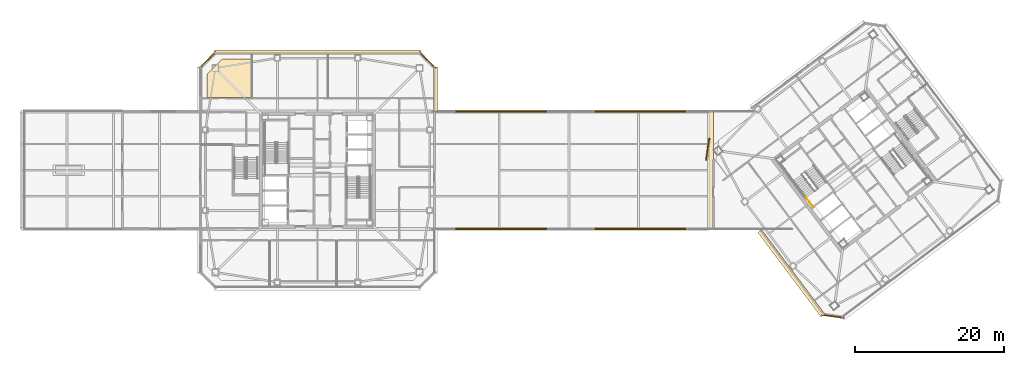
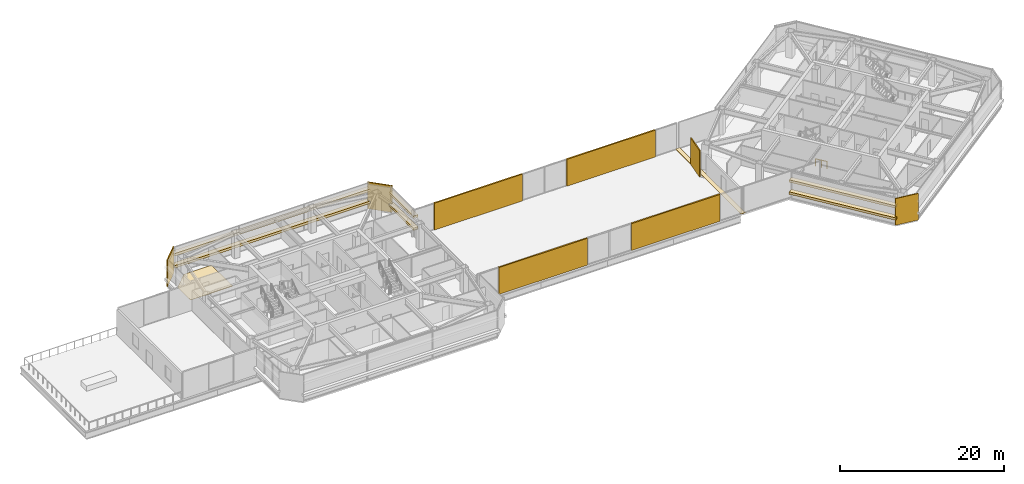
# One storey, part 47 of 51: 16 coverings, 1 railing.
"""IFC4 building model written with IfcOpenShell, lengths in metres."""

from ifc_helpers import new_model, si_unit, direction, frame, origin, origin_2d, place, context, subcontext, project, spatial, polyline, rectangle, outline, extrude, material, layer, layer_set, type_object, element, save


model = new_model("IFC4")

# Units and contexts
model_context = context("Model", 3, precision=1e-05, world=origin(), true_north=direction((0.0, 1.0)))
body_context = subcontext(model_context, "Body", "Model", "MODEL_VIEW")
ifc_project = project(units=[si_unit("LENGTHUNIT", "METRE"), si_unit("AREAUNIT", "SQUARE_METRE"), si_unit("VOLUMEUNIT", "CUBIC_METRE"), si_unit("PLANEANGLEUNIT", "RADIAN"), si_unit("MASSUNIT", "GRAM", prefix="KILO")], contexts=[model_context])

# Site, building, storey
site_placement = place(None, origin())
site = spatial("IfcSite", under=ifc_project, at=site_placement, CompositionType="ELEMENT")
building_placement = place(site_placement, origin())
building = spatial("IfcBuilding", under=site, at=building_placement, Name="Tashvorn Skyway Center", CompositionType="ELEMENT")
storey_placement = place(building_placement, frame((0.0, 0.0, 251.39990234375)))
storey = spatial("IfcBuildingStorey", under=building, at=storey_placement, Name="L68", CompositionType="ELEMENT", Elevation=251.39990234375)

# Coverings
ifc_material_1 = material(Name="Precast concrete C40/50", Category="concrete")
ifc_layer_1 = layer(ifc_material_1, 0.199951171875)
ifc_layer_set_1 = layer_set([ifc_layer_1], Name="Precast concrete C40/50")
covering_type_1 = type_object("IfcCoveringType", Name="COV-BRACE-CLAD", PredefinedType="CLADDING", material=ifc_layer_set_1)
for number, where, z_axis, x_axis, name in (
    (1, (85.35498046875, 24.10009765625, 0.0), (0.0, 0.0, 1.0), (-1.0, 0.0, 0.0), "Sky-Park L68 Bridge South Curtain Wall Mega-Brace Cladding Band 1"),
    (2, (66.6650390625, 24.10009765625, 0.0), (0.0, 0.0, 1.0), (-1.0, 0.0, 0.0), "Sky-Park L68 Bridge South Curtain Wall Mega-Brace Cladding Band 2"),
    (3, (66.6650390625, 39.89990234375, 0.0), (0.0, 0.0, 1.0), (1.0, 0.0, 0.0), "Sky-Park L68 Bridge North Curtain Wall Mega-Brace Cladding Band 1"),
    (4, (85.35498046875, 39.89990234375, 0.0), (0.0, 0.0, 1.0), (1.0, 0.0, 0.0), "Sky-Park L68 Bridge North Curtain Wall Mega-Brace Cladding Band 2"),
):
    element("IfcCovering", number, at=place(storey_placement, frame(where, z_axis=z_axis, x_axis=x_axis)), inside=storey, type_object=covering_type_1, Name=name, PredefinedType="CLADDING", context=body_context, shape_type="SweptSolid", body=[
        extrude(rectangle(XDim=12.4599609375, YDim=0.199951171875, at=origin_2d()), origin(), (0.0, 0.0, 1.0), 4.0),
    ])
ifc_material_2 = material(Name="Polished Mojave desert-aggregate terrazzo and cover plate")
ifc_layer_2 = layer(ifc_material_2, 0.0400390625)
ifc_layer_set_2 = layer_set([ifc_layer_2], Name="Polished Mojave desert-aggregate terrazzo and cover plate")
covering_type_2 = type_object("IfcCoveringType", Name="COV-FLR-40", PredefinedType="FLOORING", material=ifc_layer_set_2)
covering_1_placement = place(storey_placement, origin())
element("IfcCovering", 5, at=covering_1_placement, inside=storey, type_object=covering_type_2, Name="Tower 1 L68 Executive Suite Finish Flooring", PredefinedType="FLOORING", context=body_context, shape_type="SweptSolid", body=[
    extrude(outline(polyline([(33.1201171875, 41.75), (27.179931640625, 41.75), (27.179931640625, 44.8798828125), (29.199951171875, 46.89990234375), (33.1201171875, 46.89990234375), (33.1201171875, 41.75)])), origin(), (0.0, 0.0, 1.0), 0.0400390625),
])
covering_2_placement = place(storey_placement, origin())
element("IfcCovering", 6, at=covering_2_placement, inside=storey, type_object=covering_type_2, Name="Sky-Park L68 Seismic Movement Joint Terrazzo Cover Plate", PredefinedType="FLOORING", context=body_context, shape_type="SweptSolid", body=[
    extrude(outline(polyline([(94.550048828125, 24.0), (95.14990234375, 24.0), (95.14990234375, 40.0), (94.550048828125, 40.0), (94.550048828125, 24.0)])), origin(), (0.0, 0.0, 1.0), 0.0400390625),
])
ifc_material_3 = material(Name="Perforated ceramic-coated bronze aluminium solar screen", Category="aluminium")
ifc_layer_3 = layer(ifc_material_3, 0.85009765625)
ifc_layer_set_3 = layer_set([ifc_layer_3], Name="Perforated ceramic-coated bronze aluminium solar screen")
covering_type_3 = type_object("IfcCoveringType", Name="COV-SOLAR-BAND", PredefinedType="CLADDING", material=ifc_layer_set_3)
for number, where, z_axis, x_axis, name in (
    (7, (42.0, 47.820068359375, 0.919921875), (0.0, 0.0, 1.0), (1.0, 0.0, 0.0), "L68 Perforated Ceramic-Metal Solar Screen Louvre Band North 1"),
    (8, (42.0, 47.820068359375, 2.72021484375), (0.0, 0.0, 1.0), (1.0, 0.0, 0.0), "L68 Perforated Ceramic-Metal Solar Screen Louvre Band North 2"),
):
    element("IfcCovering", number, at=place(storey_placement, frame(where, z_axis=z_axis, x_axis=x_axis)), inside=storey, type_object=covering_type_3, Name=name, PredefinedType="CLADDING", context=body_context, shape_type="SweptSolid", body=[
        extrude(rectangle(XDim=27.679931640625, YDim=0.639892578125, at=origin_2d()), origin(), (0.0, 0.0, 1.0), 0.360107421875),
    ])
for number, where, z_axis, x_axis, name in (
    (9, (57.820068359375, 42.840087890625, 0.919921875), (0.0, 0.0, 1.0), (0.0, -1.0, 0.0), "L68 Perforated Ceramic-Metal Solar Screen Louvre Band East 1"),
    (10, (57.820068359375, 42.840087890625, 2.72021484375), (0.0, 0.0, 1.0), (0.0, -1.0, 0.0), "L68 Perforated Ceramic-Metal Solar Screen Louvre Band East 2"),
):
    element("IfcCovering", number, at=place(storey_placement, frame(where, z_axis=z_axis, x_axis=x_axis)), inside=storey, type_object=covering_type_3, Name=name, PredefinedType="CLADDING", context=body_context, shape_type="SweptSolid", body=[
        extrude(rectangle(XDim=6.0, YDim=0.639892578125, at=origin_2d()), origin(), (0.0, 0.0, 1.0), 0.360107421875),
    ])
for number, where, z_axis, x_axis, name in (
    (11, (105.623046875, 18.135986328125, 0.919921875), (0.0, 0.0, 1.0), (-0.600000004945, 0.799999996291, 0.0), "L68 Perforated Ceramic-Metal Solar Screen Louvre Band West 1"),
    (12, (105.623046875, 18.135986328125, 2.72021484375), (0.0, 0.0, 1.0), (-0.600000004945, 0.799999996291, 0.0), "L68 Perforated Ceramic-Metal Solar Screen Louvre Band West 2"),
):
    element("IfcCovering", number, at=place(storey_placement, frame(where, z_axis=z_axis, x_axis=x_axis)), inside=storey, type_object=covering_type_3, Name=name, PredefinedType="CLADDING", context=body_context, shape_type="SweptSolid", body=[
        extrude(rectangle(XDim=14.14990234375, YDim=0.639892578125, at=origin_2d()), origin(), (0.0, 0.0, 1.0), 0.360107421875),
    ])
ifc_layer_4 = layer(ifc_material_1, 0.35009765625)
ifc_layer_set_4 = layer_set([ifc_layer_4], Name="Precast concrete C40/50")
covering_type_4 = type_object("IfcCoveringType", Name="COV-STONE-TRIM", PredefinedType="CLADDING", material=ifc_layer_set_4)
for number, where, z_axis, x_axis, name in (
    (13, (27.22998046875, 46.77001953125, 0.02001953125), (0.0, 0.0, 1.0), (-0.707106781187, -0.707106781187, 0.0), "Tower 1 L68 NW Mojave Limestone Corner Quoin"),
    (14, (56.77001953125, 46.77001953125, 0.02001953125), (0.0, 0.0, 1.0), (0.707106781187, -0.707106781187, 0.0), "Tower 1 L68 NE Mojave Limestone Corner Quoin"),
):
    element("IfcCovering", number, at=place(storey_placement, frame(where, z_axis=z_axis, x_axis=x_axis)), inside=storey, type_object=covering_type_4, Name=name, PredefinedType="CLADDING", context=body_context, shape_type="SweptSolid", body=[
        extrude(rectangle(XDim=3.1298828125, YDim=0.139892578125, at=origin_2d()), origin(), (0.0, 0.0, 1.0), 3.9599609375),
    ])
for number, where, z_axis, x_axis, name in (
    (15, (111.196044921875, 12.3720703125, 0.02001953125), (0.0, 0.0, 1.0), (-0.989949494535, 0.141421350118, 0.0), "Tower 2 L68 SW Mojave Limestone Corner Quoin"),
    (16, (94.3720703125, 34.803955078125, 0.02001953125), (0.0, 0.0, 1.0), (-0.141421350118, -0.989949494535, 0.0), "Tower 2 L68 NW Mojave Limestone Corner Quoin"),
):
    element("IfcCovering", number, at=place(storey_placement, frame(where, z_axis=z_axis, x_axis=x_axis)), inside=storey, type_object=covering_type_4, Name=name, PredefinedType="CLADDING", context=body_context, shape_type="SweptSolid", body=[
        extrude(rectangle(XDim=2.98828125, YDim=0.139892578125, at=origin_2d()), origin(), (0.0, 0.0, 1.0), 3.9599609375),
    ])

# Railing
ifc_material_4 = material(Name="Painted galvanized steel S355", Category="steel")
railing_type = type_object("IfcRailingType", Name="RAIL-STGUARD-1100", PredefinedType="GUARDRAIL", material=ifc_material_4)
railing_placement = place(storey_placement, frame((108.49609375, 27.1220703125, 0.0)))
element("IfcRailing", 17, at=railing_placement, inside=storey, type_object=railing_type, Name="L68 ST-T2-1 stair guard 6", PredefinedType="GUARDRAIL", context=body_context, shape_type="SweptSolid", body=[
    extrude(rectangle(XDim=0.048095703125, YDim=0.048095703125, at=origin_2d()), frame((0.0, 0.0, 1.076171875), z_axis=(-0.600102796382, 0.799922892393, 0.0), x_axis=(-0.799922892393, -0.600102796382, 0.0)), (0.0, 0.0, 1.0), 1.52001953125),
    extrude(rectangle(XDim=0.0419921875, YDim=0.0419921875, at=origin_2d()), origin(), (0.0, 0.0, 1.0), 1.052001953125),
    extrude(rectangle(XDim=0.0419921875, YDim=0.0419921875, at=origin_2d()), frame((-0.4560546875, 0.60791015625, 0.0)), (0.0, 0.0, 1.0), 1.052001953125),
    extrude(rectangle(XDim=0.0419921875, YDim=0.0419921875, at=origin_2d()), frame((-0.912109375, 1.2158203125, 0.0)), (0.0, 0.0, 1.0), 1.052001953125),
])

save(model, "model.ifc")
